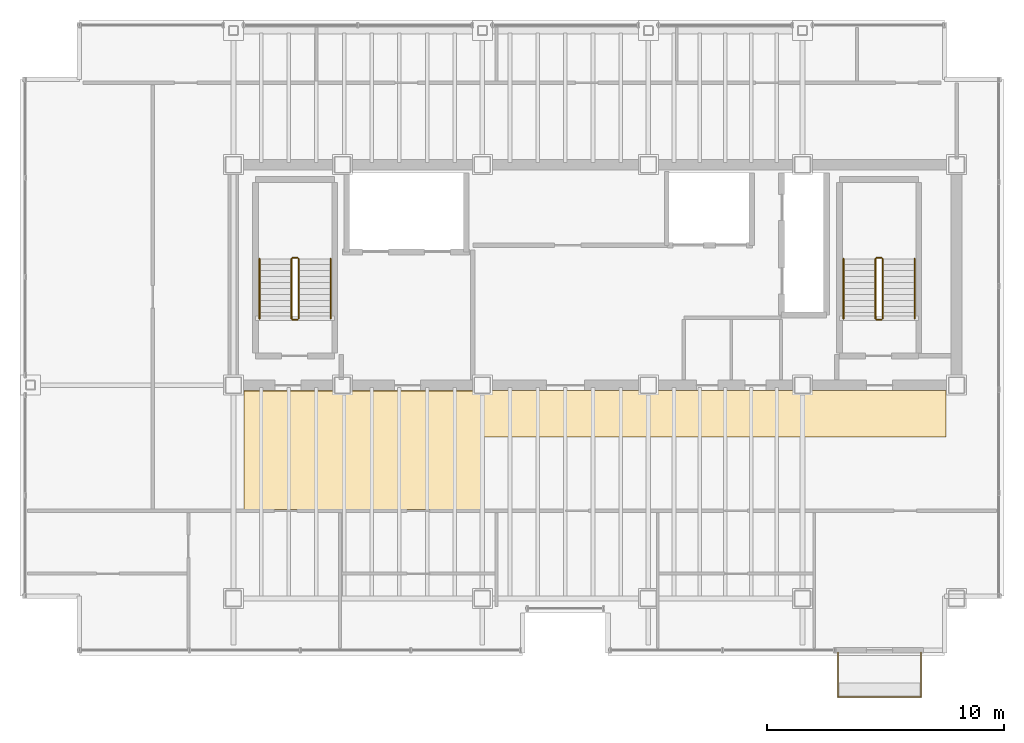
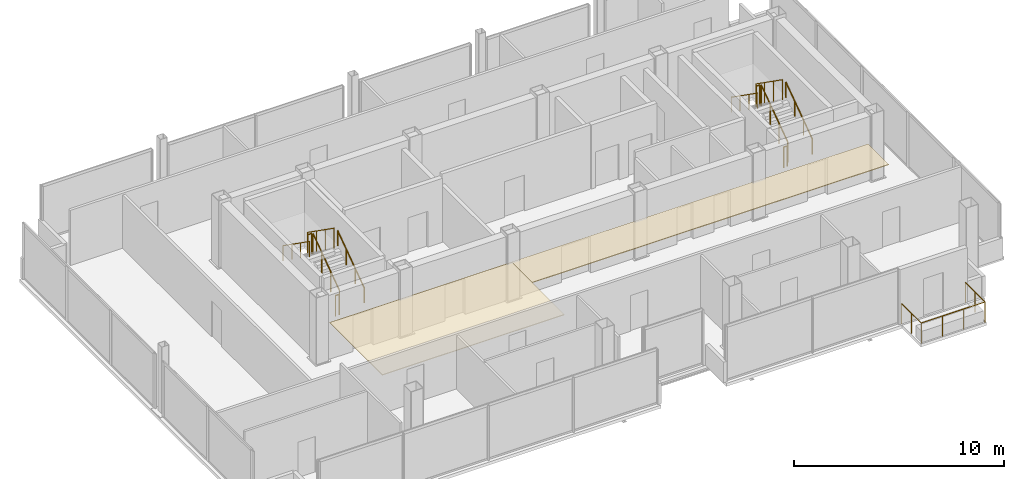
# One storey, part 17 of 17: 13 railings, 2 coverings.
"""IFC4 building model written with IfcOpenShell, lengths in metres."""

from ifc_helpers import new_model, si_unit, direction, frame, origin, origin_2d, place, context, subcontext, project, spatial, polyline, circle, outline, extrude, material, layer, layer_set, type_object, element, save


model = new_model("IFC4")

# Units and contexts
model_context = context("Model", 3, precision=1e-05, world=origin(), true_north=direction((0.0, 1.0)))
body_context = subcontext(model_context, "Body", "Model", "MODEL_VIEW")
ifc_project = project(units=[si_unit("LENGTHUNIT", "METRE"), si_unit("AREAUNIT", "SQUARE_METRE"), si_unit("VOLUMEUNIT", "CUBIC_METRE"), si_unit("PLANEANGLEUNIT", "RADIAN"), si_unit("MASSUNIT", "GRAM", prefix="KILO")], contexts=[model_context])

# Site, building, storey
site_placement = place(None, origin())
site = spatial("IfcSite", under=ifc_project, at=site_placement, CompositionType="ELEMENT")
building_placement = place(site_placement, origin())
building = spatial("IfcBuilding", under=site, at=building_placement, Name="Noeulbin Bourse Tower", CompositionType="ELEMENT")
storey_placement = place(building_placement, frame((0.0, 0.0, 273.5)))
storey = spatial("IfcBuildingStorey", under=building, at=storey_placement, Name="L68", CompositionType="ELEMENT", Elevation=273.5)

# Coverings
ifc_material_1 = material(Name="Perforated Mineral-Fibre Acoustic Tile")
ifc_layer_1 = layer(ifc_material_1, 0.0400390625)
ifc_layer_set_1 = layer_set([ifc_layer_1], Name="Perforated Mineral-Fibre Acoustic Tile")
covering_type_1 = type_object("IfcCoveringType", Name="COV-CEIL-ACT", PredefinedType="CEILING", material=ifc_layer_set_1)
covering_1_placement = place(storey_placement, frame((0.0, 0.0, 2.110107421875)))
element("IfcCovering", 1, at=covering_1_placement, inside=storey, type_object=covering_type_1, Name="Trading Suite Acoustic Ceiling L68", PredefinedType="CEILING", context=body_context, shape_type="SweptSolid", body=[
    extrude(outline(polyline([(13.949951171875, 23.75), (23.949951171875, 23.75), (23.949951171875, 28.75), (13.949951171875, 28.75), (13.949951171875, 23.75)])), origin(), (0.0, 0.0, 1.0), 0.039794921875),
])
ifc_material_2 = material(Name="Linear Anodised Aluminium Baffle Ceiling", Category="aluminium")
ifc_layer_2 = layer(ifc_material_2, 0.050048828125)
ifc_layer_set_2 = layer_set([ifc_layer_2], Name="Linear Anodised Aluminium Baffle Ceiling")
covering_type_2 = type_object("IfcCoveringType", Name="COV-CEIL-MTL", PredefinedType="CEILING", material=ifc_layer_set_2)
covering_2_placement = place(storey_placement, frame((0.0, 0.0, 2.110107421875)))
element("IfcCovering", 2, at=covering_2_placement, inside=storey, type_object=covering_type_2, Name="Corridor Suspended Ceiling L68", PredefinedType="CEILING", context=body_context, shape_type="SweptSolid", body=[
    extrude(outline(polyline([(13.949951171875, 26.820068359375), (43.550048828125, 26.820068359375), (43.550048828125, 28.780029296875), (13.949951171875, 28.780029296875), (13.949951171875, 26.820068359375)])), origin(), (0.0, 0.0, 1.0), 0.039794921875),
])

# Railings
ifc_material_3 = material(Name="Laminated SentryGlas and Stainless Steel 316", Category="steel")
ifc_layer_3 = layer(ifc_material_3, 0.06005859375)
ifc_layer_set_3 = layer_set([ifc_layer_3], Name="Laminated SentryGlas and Stainless Steel 316")
railing_type_1 = type_object("IfcRailingType", Name="RLG-BAL-1200", PredefinedType="BALUSTRADE", material=ifc_layer_set_3)
railing_1_placement = place(storey_placement, frame((39.0, 17.719970703125, 0.0)))
element("IfcRailing", 3, at=railing_1_placement, inside=storey, type_object=railing_type_1, Name="Tree-Balcony Glazed Balustrade L68", PredefinedType="BALUSTRADE", context=body_context, shape_type="SweptSolid", body=[
    extrude(circle(Radius=0.02392578125, at=origin_2d()), frame((0.0, 0.0, 1.17578125), z_axis=(0.0, -1.0, 0.0), x_axis=(1.0, 0.0, 0.0)), (0.0, 0.0, 1.0), 1.869873046875),
    extrude(circle(Radius=0.02392578125, at=origin_2d()), frame((0.0, -1.869873046875, 1.17578125), z_axis=(1.0, 0.0, 0.0), x_axis=(0.0, 1.0, 0.0)), (0.0, 0.0, 1.0), 3.5),
    extrude(circle(Radius=0.02392578125, at=origin_2d()), frame((3.5, -1.869873046875, 1.17578125), z_axis=(0.0, 1.0, 0.0), x_axis=(-1.0, 0.0, 0.0)), (0.0, 0.0, 1.0), 1.869873046875),
    extrude(circle(Radius=0.02099609375, at=origin_2d()), origin(), (0.0, 0.0, 1.0), 1.15185546875),
    extrude(circle(Radius=0.02099609375, at=origin_2d()), frame((0.0, -0.93505859375, 0.0)), (0.0, 0.0, 1.0), 1.15185546875),
    extrude(circle(Radius=0.02099609375, at=origin_2d()), frame((0.0, -1.869873046875, 0.0)), (0.0, 0.0, 1.0), 1.15185546875),
    extrude(circle(Radius=0.02099609375, at=origin_2d()), frame((1.166748046875, -1.869873046875, 0.0)), (0.0, 0.0, 1.0), 1.15185546875),
    extrude(circle(Radius=0.02099609375, at=origin_2d()), frame((2.333251953125, -1.869873046875, 0.0)), (0.0, 0.0, 1.0), 1.15185546875),
    extrude(circle(Radius=0.02099609375, at=origin_2d()), frame((3.5, -1.869873046875, 0.0)), (0.0, 0.0, 1.0), 1.15185546875),
    extrude(circle(Radius=0.02099609375, at=origin_2d()), frame((3.5, -0.93505859375, 0.0)), (0.0, 0.0, 1.0), 1.15185546875),
    extrude(circle(Radius=0.02099609375, at=origin_2d()), frame((3.5, 0.0, 0.0)), (0.0, 0.0, 1.0), 1.15185546875),
])
ifc_material_4 = material(Name="Painted Tubular Steel S355", Category="steel")
ifc_layer_4 = layer(ifc_material_4, 0.048095703125)
ifc_layer_set_4 = layer_set([ifc_layer_4], Name="Painted Tubular Steel S355")
railing_type_2 = type_object("IfcRailingType", Name="RLG-STR-GRD", PredefinedType="GUARDRAIL", material=ifc_layer_set_4)
railing_2_placement = place(storey_placement, frame((16.25, 31.81005859375, 0.17724609375)))
element("IfcRailing", 4, at=railing_2_placement, inside=storey, type_object=railing_type_2, Name="L68 ST-1 stair guard 1", PredefinedType="GUARDRAIL", context=body_context, shape_type="SweptSolid", body=[
    extrude(circle(Radius=0.02392578125, at=origin_2d()), frame((0.0, 0.0, 1.17578125), z_axis=(0.0, 0.817904474719, 0.575354039036), x_axis=(-1.0, 0.0, 0.0)), (0.0, 0.0, 1.0), 3.0810546875),
    extrude(circle(Radius=0.02099609375, at=origin_2d()), origin(), (0.0, 0.0, 1.0), 1.15185546875),
    extrude(circle(Radius=0.02099609375, at=origin_2d()), frame((0.0, 0.840087890625, 0.5908203125)), (0.0, 0.0, 1.0), 1.15185546875),
    extrude(circle(Radius=0.02099609375, at=origin_2d()), frame((0.0, 1.679931640625, 1.181884765625)), (0.0, 0.0, 1.0), 1.15185546875),
    extrude(circle(Radius=0.02099609375, at=origin_2d()), frame((0.0, 2.52001953125, 1.772705078125)), (0.0, 0.0, 1.0), 1.15185546875),
])
railing_3_placement = place(storey_placement, frame((16.199951171875, 34.3798828125, 1.949951171875)))
element("IfcRailing", 5, at=railing_3_placement, inside=storey, type_object=railing_type_2, Name="L68 ST-1 stair guard 2", PredefinedType="GUARDRAIL", context=body_context, shape_type="SweptSolid", body=[
    extrude(circle(Radius=0.02392578125, at=origin_2d()), frame((0.0, 0.0, 1.17578125), z_axis=(-1.0, 0.0, 0.0), x_axis=(0.0, -1.0, 0.0)), (0.0, 0.0, 1.0), 0.199951171875),
    extrude(circle(Radius=0.02099609375, at=origin_2d()), origin(), (0.0, 0.0, 1.0), 1.15185546875),
    extrude(circle(Radius=0.02099609375, at=origin_2d()), frame((-0.199951171875, 0.0, 0.0)), (0.0, 0.0, 1.0), 1.15185546875),
])
railing_4_placement = place(storey_placement, frame((15.949951171875, 34.330078125, 2.127197265625)))
element("IfcRailing", 6, at=railing_4_placement, inside=storey, type_object=railing_type_2, Name="L68 ST-1 stair guard 3", PredefinedType="GUARDRAIL", context=body_context, shape_type="SweptSolid", body=[
    extrude(circle(Radius=0.02392578125, at=origin_2d()), frame((0.0, 0.0, 1.17578125), z_axis=(0.0, -0.817904474719, 0.575354039036), x_axis=(1.0, 0.0, 0.0)), (0.0, 0.0, 1.0), 3.0810546875),
    extrude(circle(Radius=0.02099609375, at=origin_2d()), origin(), (0.0, 0.0, 1.0), 1.15185546875),
    extrude(circle(Radius=0.02099609375, at=origin_2d()), frame((0.0, -0.840087890625, 0.5908203125)), (0.0, 0.0, 1.0), 1.15185546875),
    extrude(circle(Radius=0.02099609375, at=origin_2d()), frame((0.0, -1.679931640625, 1.181884765625)), (0.0, 0.0, 1.0), 1.15185546875),
    extrude(circle(Radius=0.02099609375, at=origin_2d()), frame((0.0, -2.52001953125, 1.772705078125)), (0.0, 0.0, 1.0), 1.15185546875),
])
railing_5_placement = place(storey_placement, frame((16.199951171875, 31.760009765625, 0.0)))
element("IfcRailing", 7, at=railing_5_placement, inside=storey, type_object=railing_type_2, Name="L68 ST-1 stair guard 4", PredefinedType="GUARDRAIL", context=body_context, shape_type="SweptSolid", body=[
    extrude(circle(Radius=0.02392578125, at=origin_2d()), frame((0.0, 0.0, 1.17578125), z_axis=(-1.0, 0.0, 0.0), x_axis=(0.0, -1.0, 0.0)), (0.0, 0.0, 1.0), 0.199951171875),
    extrude(circle(Radius=0.02099609375, at=origin_2d()), origin(), (0.0, 0.0, 1.0), 1.15185546875),
    extrude(circle(Radius=0.02099609375, at=origin_2d()), frame((-0.199951171875, 0.0, 0.0)), (0.0, 0.0, 1.0), 1.15185546875),
])
railing_6_placement = place(storey_placement, frame((40.8798828125, 31.81005859375, 0.17724609375)))
element("IfcRailing", 8, at=railing_6_placement, inside=storey, type_object=railing_type_2, Name="L68 ST-2 stair guard 1", PredefinedType="GUARDRAIL", context=body_context, shape_type="SweptSolid", body=[
    extrude(circle(Radius=0.02392578125, at=origin_2d()), frame((0.0, 0.0, 1.17578125), z_axis=(0.0, 0.817904474719, 0.575354039036), x_axis=(-1.0, 0.0, 0.0)), (0.0, 0.0, 1.0), 3.0810546875),
    extrude(circle(Radius=0.02099609375, at=origin_2d()), origin(), (0.0, 0.0, 1.0), 1.15185546875),
    extrude(circle(Radius=0.02099609375, at=origin_2d()), frame((0.0, 0.840087890625, 0.5908203125)), (0.0, 0.0, 1.0), 1.15185546875),
    extrude(circle(Radius=0.02099609375, at=origin_2d()), frame((0.0, 1.679931640625, 1.181884765625)), (0.0, 0.0, 1.0), 1.15185546875),
    extrude(circle(Radius=0.02099609375, at=origin_2d()), frame((0.0, 2.52001953125, 1.772705078125)), (0.0, 0.0, 1.0), 1.15185546875),
])
railing_7_placement = place(storey_placement, frame((40.830078125, 34.3798828125, 1.949951171875)))
element("IfcRailing", 9, at=railing_7_placement, inside=storey, type_object=railing_type_2, Name="L68 ST-2 stair guard 2", PredefinedType="GUARDRAIL", context=body_context, shape_type="SweptSolid", body=[
    extrude(circle(Radius=0.02392578125, at=origin_2d()), frame((0.0, 0.0, 1.17578125), z_axis=(-1.0, 0.0, 0.0), x_axis=(0.0, -1.0, 0.0)), (0.0, 0.0, 1.0), 0.2001953125),
    extrude(circle(Radius=0.02099609375, at=origin_2d()), origin(), (0.0, 0.0, 1.0), 1.15185546875),
    extrude(circle(Radius=0.02099609375, at=origin_2d()), frame((-0.2001953125, 0.0, 0.0)), (0.0, 0.0, 1.0), 1.15185546875),
])
railing_8_placement = place(storey_placement, frame((40.580078125, 34.330078125, 2.127197265625)))
element("IfcRailing", 10, at=railing_8_placement, inside=storey, type_object=railing_type_2, Name="L68 ST-2 stair guard 3", PredefinedType="GUARDRAIL", context=body_context, shape_type="SweptSolid", body=[
    extrude(circle(Radius=0.02392578125, at=origin_2d()), frame((0.0, 0.0, 1.17578125), z_axis=(0.0, -0.817904474719, 0.575354039036), x_axis=(1.0, 0.0, 0.0)), (0.0, 0.0, 1.0), 3.0810546875),
    extrude(circle(Radius=0.02099609375, at=origin_2d()), origin(), (0.0, 0.0, 1.0), 1.15185546875),
    extrude(circle(Radius=0.02099609375, at=origin_2d()), frame((0.0, -0.840087890625, 0.5908203125)), (0.0, 0.0, 1.0), 1.15185546875),
    extrude(circle(Radius=0.02099609375, at=origin_2d()), frame((0.0, -1.679931640625, 1.181884765625)), (0.0, 0.0, 1.0), 1.15185546875),
    extrude(circle(Radius=0.02099609375, at=origin_2d()), frame((0.0, -2.52001953125, 1.772705078125)), (0.0, 0.0, 1.0), 1.15185546875),
])
railing_9_placement = place(storey_placement, frame((40.830078125, 31.760009765625, 0.0)))
element("IfcRailing", 11, at=railing_9_placement, inside=storey, type_object=railing_type_2, Name="L68 ST-2 stair guard 4", PredefinedType="GUARDRAIL", context=body_context, shape_type="SweptSolid", body=[
    extrude(circle(Radius=0.02392578125, at=origin_2d()), frame((0.0, 0.0, 1.17578125), z_axis=(-1.0, 0.0, 0.0), x_axis=(0.0, -1.0, 0.0)), (0.0, 0.0, 1.0), 0.2001953125),
    extrude(circle(Radius=0.02099609375, at=origin_2d()), origin(), (0.0, 0.0, 1.0), 1.15185546875),
    extrude(circle(Radius=0.02099609375, at=origin_2d()), frame((-0.2001953125, 0.0, 0.0)), (0.0, 0.0, 1.0), 1.15185546875),
])
ifc_material_5 = material(Name="Brushed Stainless Steel 316", Category="steel")
ifc_layer_5 = layer(ifc_material_5, 0.048095703125)
ifc_layer_set_5 = layer_set([ifc_layer_5], Name="Brushed Stainless Steel 316")
railing_type_3 = type_object("IfcRailingType", Name="RLG-STR-HND", PredefinedType="HANDRAIL", material=ifc_layer_set_5)
railing_10_placement = place(storey_placement, frame((17.60009765625, 31.81005859375, 0.17724609375)))
element("IfcRailing", 12, at=railing_10_placement, inside=storey, type_object=railing_type_3, Name="L68 ST-1 stair handrail 1", PredefinedType="HANDRAIL", context=body_context, shape_type="SweptSolid", body=[
    extrude(circle(Radius=0.02392578125, at=origin_2d()), frame((0.0, 0.0, 0.8759765625), z_axis=(0.0, 0.817904474719, 0.575354039036), x_axis=(-1.0, 0.0, 0.0)), (0.0, 0.0, 1.0), 3.0810546875),
    extrude(circle(Radius=0.02099609375, at=origin_2d()), origin(), (0.0, 0.0, 1.0), 0.851806640625),
    extrude(circle(Radius=0.02099609375, at=origin_2d()), frame((0.0, 0.840087890625, 0.5908203125)), (0.0, 0.0, 1.0), 0.851806640625),
    extrude(circle(Radius=0.02099609375, at=origin_2d()), frame((0.0, 1.679931640625, 1.181884765625)), (0.0, 0.0, 1.0), 0.851806640625),
    extrude(circle(Radius=0.02099609375, at=origin_2d()), frame((0.0, 2.52001953125, 1.772705078125)), (0.0, 0.0, 1.0), 0.851806640625),
])
railing_11_placement = place(storey_placement, frame((14.60009765625, 34.330078125, 2.127197265625)))
element("IfcRailing", 13, at=railing_11_placement, inside=storey, type_object=railing_type_3, Name="L68 ST-1 stair handrail 2", PredefinedType="HANDRAIL", context=body_context, shape_type="SweptSolid", body=[
    extrude(circle(Radius=0.02392578125, at=origin_2d()), frame((0.0, 0.0, 0.8759765625), z_axis=(0.0, -0.817904474719, 0.575354039036), x_axis=(1.0, 0.0, 0.0)), (0.0, 0.0, 1.0), 3.0810546875),
    extrude(circle(Radius=0.02099609375, at=origin_2d()), origin(), (0.0, 0.0, 1.0), 0.851806640625),
    extrude(circle(Radius=0.02099609375, at=origin_2d()), frame((0.0, -0.840087890625, 0.5908203125)), (0.0, 0.0, 1.0), 0.851806640625),
    extrude(circle(Radius=0.02099609375, at=origin_2d()), frame((0.0, -1.679931640625, 1.181884765625)), (0.0, 0.0, 1.0), 0.851806640625),
    extrude(circle(Radius=0.02099609375, at=origin_2d()), frame((0.0, -2.52001953125, 1.772705078125)), (0.0, 0.0, 1.0), 0.851806640625),
])
railing_12_placement = place(storey_placement, frame((42.22998046875, 31.81005859375, 0.17724609375)))
element("IfcRailing", 14, at=railing_12_placement, inside=storey, type_object=railing_type_3, Name="L68 ST-2 stair handrail 1", PredefinedType="HANDRAIL", context=body_context, shape_type="SweptSolid", body=[
    extrude(circle(Radius=0.02392578125, at=origin_2d()), frame((0.0, 0.0, 0.8759765625), z_axis=(0.0, 0.817904474719, 0.575354039036), x_axis=(-1.0, 0.0, 0.0)), (0.0, 0.0, 1.0), 3.0810546875),
    extrude(circle(Radius=0.02099609375, at=origin_2d()), origin(), (0.0, 0.0, 1.0), 0.851806640625),
    extrude(circle(Radius=0.02099609375, at=origin_2d()), frame((0.0, 0.840087890625, 0.5908203125)), (0.0, 0.0, 1.0), 0.851806640625),
    extrude(circle(Radius=0.02099609375, at=origin_2d()), frame((0.0, 1.679931640625, 1.181884765625)), (0.0, 0.0, 1.0), 0.851806640625),
    extrude(circle(Radius=0.02099609375, at=origin_2d()), frame((0.0, 2.52001953125, 1.772705078125)), (0.0, 0.0, 1.0), 0.851806640625),
])
railing_13_placement = place(storey_placement, frame((39.22998046875, 34.330078125, 2.127197265625)))
element("IfcRailing", 15, at=railing_13_placement, inside=storey, type_object=railing_type_3, Name="L68 ST-2 stair handrail 2", PredefinedType="HANDRAIL", context=body_context, shape_type="SweptSolid", body=[
    extrude(circle(Radius=0.02392578125, at=origin_2d()), frame((0.0, 0.0, 0.8759765625), z_axis=(0.0, -0.817904474719, 0.575354039036), x_axis=(1.0, 0.0, 0.0)), (0.0, 0.0, 1.0), 3.0810546875),
    extrude(circle(Radius=0.02099609375, at=origin_2d()), origin(), (0.0, 0.0, 1.0), 0.851806640625),
    extrude(circle(Radius=0.02099609375, at=origin_2d()), frame((0.0, -0.840087890625, 0.5908203125)), (0.0, 0.0, 1.0), 0.851806640625),
    extrude(circle(Radius=0.02099609375, at=origin_2d()), frame((0.0, -1.679931640625, 1.181884765625)), (0.0, 0.0, 1.0), 0.851806640625),
    extrude(circle(Radius=0.02099609375, at=origin_2d()), frame((0.0, -2.52001953125, 1.772705078125)), (0.0, 0.0, 1.0), 0.851806640625),
])

save(model, "model.ifc")
